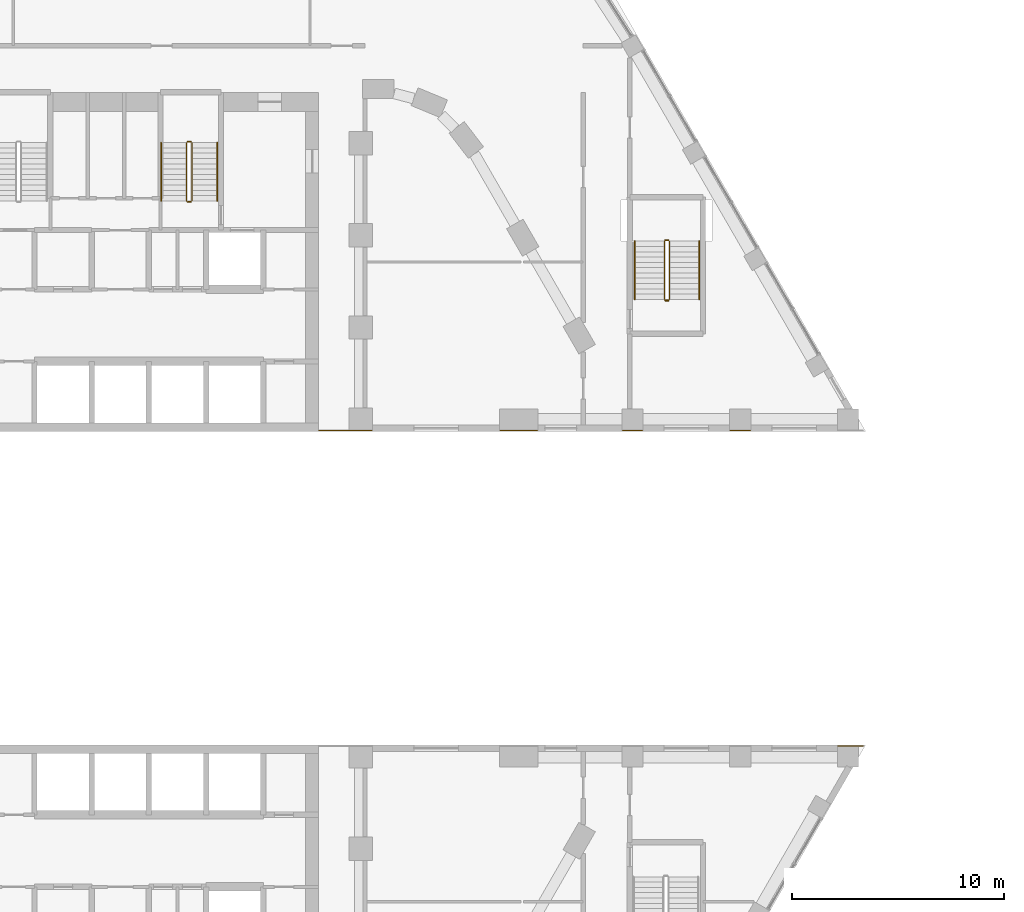
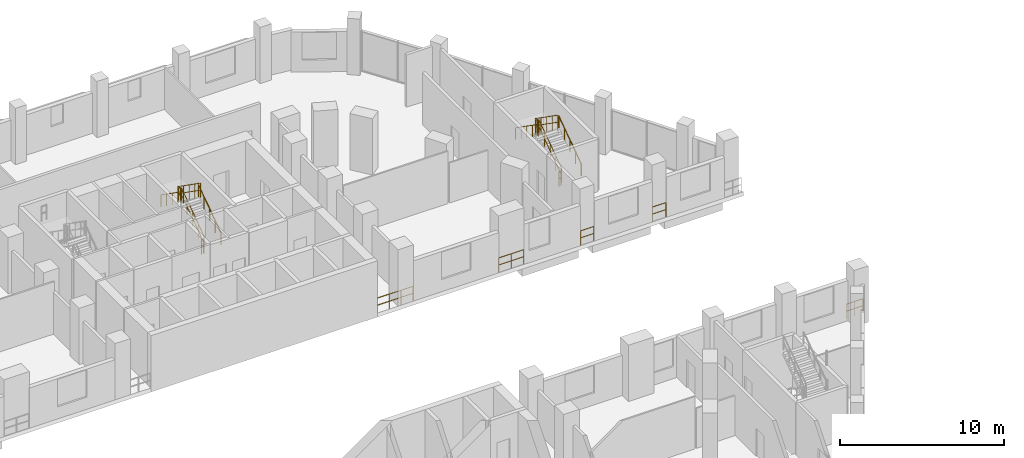
# One storey, part 42 of 47: 17 railings.
"""IFC4 building model written with IfcOpenShell, lengths in metres."""

from ifc_helpers import new_model, si_unit, direction, frame, origin, origin_2d, place, context, subcontext, project, spatial, circle, extrude, material, type_object, element, save


model = new_model("IFC4")

# Units and contexts
model_context = context("Model", 3, precision=1e-05, world=origin(), true_north=direction((0.0, 1.0)))
body_context = subcontext(model_context, "Body", "Model", "MODEL_VIEW")
ifc_project = project(units=[si_unit("LENGTHUNIT", "METRE"), si_unit("AREAUNIT", "SQUARE_METRE"), si_unit("VOLUMEUNIT", "CUBIC_METRE"), si_unit("PLANEANGLEUNIT", "RADIAN"), si_unit("MASSUNIT", "GRAM", prefix="KILO")], contexts=[model_context])

# Site, building, storey
site_placement = place(None, origin())
site = spatial("IfcSite", under=ifc_project, at=site_placement, CompositionType="ELEMENT")
building_placement = place(site_placement, origin())
building = spatial("IfcBuilding", under=site, at=building_placement, Name="Nakaniwa Court", CompositionType="ELEMENT")
storey_placement = place(building_placement, frame((0.0, 0.0, 15.60009765625)))
storey = spatial("IfcBuildingStorey", under=building, at=storey_placement, Name="L03", CompositionType="ELEMENT", Elevation=15.60009765625)

# Railings
ifc_material_1 = material(Name="Black powder coated steel guard", Category="steel")
railing_type_1 = type_object("IfcRailingType", Name="Stair guard 1100", PredefinedType="GUARDRAIL", material=ifc_material_1)
railing_1_placement = place(storey_placement, frame((82.02490234375, 98.27490234375, 0.1748046875)))
element("IfcRailing", 1, at=railing_1_placement, inside=storey, type_object=railing_type_1, Name="L03 ST2 stair guard 1", PredefinedType="GUARDRAIL", context=body_context, shape_type="SweptSolid", body=[
    extrude(circle(Radius=0.02392578125, at=origin_2d()), frame((0.0, 0.0, 1.076171875), z_axis=(0.0, 0.819225086817, 0.573472106672), x_axis=(-1.0, 0.0, 0.0)), (0.0, 0.0, 1.0), 3.35693359375),
    extrude(circle(Radius=0.02392578125, at=origin_2d()), frame((0.0, 0.0, 0.550048828125), z_axis=(0.0, 0.819225086817, 0.573472106672), x_axis=(-1.0, 0.0, 0.0)), (0.0, 0.0, 1.0), 3.35693359375),
    extrude(circle(Radius=0.02099609375, at=origin_2d()), origin(), (0.0, 0.0, 1.0), 1.052001953125),
    extrude(circle(Radius=0.02099609375, at=origin_2d()), frame((0.0, 0.6875, 0.481201171875)), (0.0, 0.0, 1.0), 1.052001953125),
    extrude(circle(Radius=0.02099609375, at=origin_2d()), frame((0.0, 1.375, 0.96240234375)), (0.0, 0.0, 1.0), 1.052001953125),
    extrude(circle(Radius=0.02099609375, at=origin_2d()), frame((0.0, 2.0625, 1.44384765625)), (0.0, 0.0, 1.0), 1.052001953125),
    extrude(circle(Radius=0.02099609375, at=origin_2d()), frame((0.0, 2.75, 1.925048828125)), (0.0, 0.0, 1.0), 1.052001953125),
])
railing_2_placement = place(storey_placement, frame((81.97509765625, 101.074951171875, 2.099853515625)))
element("IfcRailing", 2, at=railing_2_placement, inside=storey, type_object=railing_type_1, Name="L03 ST2 stair guard 2", PredefinedType="GUARDRAIL", context=body_context, shape_type="SweptSolid", body=[
    extrude(circle(Radius=0.02392578125, at=origin_2d()), frame((0.0, 0.0, 1.076171875), z_axis=(-1.0, 0.0, 0.0), x_axis=(0.0, -1.0, 0.0)), (0.0, 0.0, 1.0), 0.150146484375),
    extrude(circle(Radius=0.02392578125, at=origin_2d()), frame((0.0, 0.0, 0.550048828125), z_axis=(-1.0, 0.0, 0.0), x_axis=(0.0, -1.0, 0.0)), (0.0, 0.0, 1.0), 0.150146484375),
    extrude(circle(Radius=0.02099609375, at=origin_2d()), origin(), (0.0, 0.0, 1.0), 1.052001953125),
    extrude(circle(Radius=0.02099609375, at=origin_2d()), frame((-0.150146484375, 0.0, 0.0)), (0.0, 0.0, 1.0), 1.052001953125),
])
railing_3_placement = place(storey_placement, frame((81.77490234375, 101.02490234375, 2.27490234375)))
element("IfcRailing", 3, at=railing_3_placement, inside=storey, type_object=railing_type_1, Name="L03 ST2 stair guard 3", PredefinedType="GUARDRAIL", context=body_context, shape_type="SweptSolid", body=[
    extrude(circle(Radius=0.02392578125, at=origin_2d()), frame((0.0, 0.0, 1.076171875), z_axis=(0.0, -0.819225086817, 0.573472106672), x_axis=(1.0, 0.0, 0.0)), (0.0, 0.0, 1.0), 3.35693359375),
    extrude(circle(Radius=0.02392578125, at=origin_2d()), frame((0.0, 0.0, 0.550048828125), z_axis=(0.0, -0.819225086817, 0.573472106672), x_axis=(1.0, 0.0, 0.0)), (0.0, 0.0, 1.0), 3.35693359375),
    extrude(circle(Radius=0.02099609375, at=origin_2d()), origin(), (0.0, 0.0, 1.0), 1.052001953125),
    extrude(circle(Radius=0.02099609375, at=origin_2d()), frame((0.0, -0.6875, 0.481201171875)), (0.0, 0.0, 1.0), 1.052001953125),
    extrude(circle(Radius=0.02099609375, at=origin_2d()), frame((0.0, -1.375, 0.96240234375)), (0.0, 0.0, 1.0), 1.052001953125),
    extrude(circle(Radius=0.02099609375, at=origin_2d()), frame((0.0, -2.0625, 1.44384765625)), (0.0, 0.0, 1.0), 1.052001953125),
    extrude(circle(Radius=0.02099609375, at=origin_2d()), frame((0.0, -2.75, 1.925048828125)), (0.0, 0.0, 1.0), 1.052001953125),
])
railing_4_placement = place(storey_placement, frame((81.97509765625, 98.22509765625, 0.0)))
element("IfcRailing", 4, at=railing_4_placement, inside=storey, type_object=railing_type_1, Name="L03 ST2 stair guard 4", PredefinedType="GUARDRAIL", context=body_context, shape_type="SweptSolid", body=[
    extrude(circle(Radius=0.02392578125, at=origin_2d()), frame((0.0, 0.0, 1.076171875), z_axis=(-1.0, 0.0, 0.0), x_axis=(0.0, -1.0, 0.0)), (0.0, 0.0, 1.0), 0.150146484375),
    extrude(circle(Radius=0.02392578125, at=origin_2d()), frame((0.0, 0.0, 0.550048828125), z_axis=(-1.0, 0.0, 0.0), x_axis=(0.0, -1.0, 0.0)), (0.0, 0.0, 1.0), 0.150146484375),
    extrude(circle(Radius=0.02099609375, at=origin_2d()), origin(), (0.0, 0.0, 1.0), 1.052001953125),
    extrude(circle(Radius=0.02099609375, at=origin_2d()), frame((-0.150146484375, 0.0, 0.0)), (0.0, 0.0, 1.0), 1.052001953125),
])
railing_5_placement = place(storey_placement, frame((104.574951171875, 93.625, 0.1748046875)))
element("IfcRailing", 5, at=railing_5_placement, inside=storey, type_object=railing_type_1, Name="L03 SS1 stair guard 1", PredefinedType="GUARDRAIL", context=body_context, shape_type="SweptSolid", body=[
    extrude(circle(Radius=0.02392578125, at=origin_2d()), frame((0.0, 0.0, 1.076171875), z_axis=(0.0, 0.819225086817, 0.573472106672), x_axis=(-1.0, 0.0, 0.0)), (0.0, 0.0, 1.0), 3.35693359375),
    extrude(circle(Radius=0.02392578125, at=origin_2d()), frame((0.0, 0.0, 0.550048828125), z_axis=(0.0, 0.819225086817, 0.573472106672), x_axis=(-1.0, 0.0, 0.0)), (0.0, 0.0, 1.0), 3.35693359375),
    extrude(circle(Radius=0.02099609375, at=origin_2d()), origin(), (0.0, 0.0, 1.0), 1.052001953125),
    extrude(circle(Radius=0.02099609375, at=origin_2d()), frame((0.0, 0.6875, 0.481201171875)), (0.0, 0.0, 1.0), 1.052001953125),
    extrude(circle(Radius=0.02099609375, at=origin_2d()), frame((0.0, 1.375, 0.96240234375)), (0.0, 0.0, 1.0), 1.052001953125),
    extrude(circle(Radius=0.02099609375, at=origin_2d()), frame((0.0, 2.0625, 1.44384765625)), (0.0, 0.0, 1.0), 1.052001953125),
    extrude(circle(Radius=0.02099609375, at=origin_2d()), frame((0.0, 2.75, 1.925048828125)), (0.0, 0.0, 1.0), 1.052001953125),
])
railing_6_placement = place(storey_placement, frame((104.52490234375, 96.425048828125, 2.099853515625)))
element("IfcRailing", 6, at=railing_6_placement, inside=storey, type_object=railing_type_1, Name="L03 SS1 stair guard 2", PredefinedType="GUARDRAIL", context=body_context, shape_type="SweptSolid", body=[
    extrude(circle(Radius=0.02392578125, at=origin_2d()), frame((0.0, 0.0, 1.076171875), z_axis=(-1.0, 0.0, 0.0), x_axis=(0.0, -1.0, 0.0)), (0.0, 0.0, 1.0), 0.14990234375),
    extrude(circle(Radius=0.02392578125, at=origin_2d()), frame((0.0, 0.0, 0.550048828125), z_axis=(-1.0, 0.0, 0.0), x_axis=(0.0, -1.0, 0.0)), (0.0, 0.0, 1.0), 0.14990234375),
    extrude(circle(Radius=0.02099609375, at=origin_2d()), origin(), (0.0, 0.0, 1.0), 1.052001953125),
    extrude(circle(Radius=0.02099609375, at=origin_2d()), frame((-0.14990234375, 0.0, 0.0)), (0.0, 0.0, 1.0), 1.052001953125),
])
railing_7_placement = place(storey_placement, frame((104.324951171875, 96.375, 2.27490234375)))
element("IfcRailing", 7, at=railing_7_placement, inside=storey, type_object=railing_type_1, Name="L03 SS1 stair guard 3", PredefinedType="GUARDRAIL", context=body_context, shape_type="SweptSolid", body=[
    extrude(circle(Radius=0.02392578125, at=origin_2d()), frame((0.0, 0.0, 1.076171875), z_axis=(0.0, -0.819225086817, 0.573472106672), x_axis=(1.0, 0.0, 0.0)), (0.0, 0.0, 1.0), 3.35693359375),
    extrude(circle(Radius=0.02392578125, at=origin_2d()), frame((0.0, 0.0, 0.550048828125), z_axis=(0.0, -0.819225086817, 0.573472106672), x_axis=(1.0, 0.0, 0.0)), (0.0, 0.0, 1.0), 3.35693359375),
    extrude(circle(Radius=0.02099609375, at=origin_2d()), origin(), (0.0, 0.0, 1.0), 1.052001953125),
    extrude(circle(Radius=0.02099609375, at=origin_2d()), frame((0.0, -0.6875, 0.481201171875)), (0.0, 0.0, 1.0), 1.052001953125),
    extrude(circle(Radius=0.02099609375, at=origin_2d()), frame((0.0, -1.375, 0.96240234375)), (0.0, 0.0, 1.0), 1.052001953125),
    extrude(circle(Radius=0.02099609375, at=origin_2d()), frame((0.0, -2.0625, 1.44384765625)), (0.0, 0.0, 1.0), 1.052001953125),
    extrude(circle(Radius=0.02099609375, at=origin_2d()), frame((0.0, -2.75, 1.925048828125)), (0.0, 0.0, 1.0), 1.052001953125),
])
railing_8_placement = place(storey_placement, frame((104.52490234375, 93.574951171875, 0.0)))
element("IfcRailing", 8, at=railing_8_placement, inside=storey, type_object=railing_type_1, Name="L03 SS1 stair guard 4", PredefinedType="GUARDRAIL", context=body_context, shape_type="SweptSolid", body=[
    extrude(circle(Radius=0.02392578125, at=origin_2d()), frame((0.0, 0.0, 1.076171875), z_axis=(-1.0, 0.0, 0.0), x_axis=(0.0, -1.0, 0.0)), (0.0, 0.0, 1.0), 0.14990234375),
    extrude(circle(Radius=0.02392578125, at=origin_2d()), frame((0.0, 0.0, 0.550048828125), z_axis=(-1.0, 0.0, 0.0), x_axis=(0.0, -1.0, 0.0)), (0.0, 0.0, 1.0), 0.14990234375),
    extrude(circle(Radius=0.02099609375, at=origin_2d()), origin(), (0.0, 0.0, 1.0), 1.052001953125),
    extrude(circle(Radius=0.02099609375, at=origin_2d()), frame((-0.14990234375, 0.0, 0.0)), (0.0, 0.0, 1.0), 1.052001953125),
])
railing_9_placement = place(storey_placement, frame((112.513916015625, 72.550048828125, 0.0)))
element("IfcRailing", 9, at=railing_9_placement, inside=storey, type_object=railing_type_1, Name="GUARD GD-L03-050", PredefinedType="GUARDRAIL", context=body_context, shape_type="SweptSolid", body=[
    extrude(circle(Radius=0.02392578125, at=origin_2d()), frame((0.0, 0.0, 1.076171875), z_axis=(1.0, 0.0, 0.0), x_axis=(0.0, 1.0, 0.0)), (0.0, 0.0, 1.0), 1.18896484375),
    extrude(circle(Radius=0.02392578125, at=origin_2d()), frame((0.0, 0.0, 0.550048828125), z_axis=(1.0, 0.0, 0.0), x_axis=(0.0, 1.0, 0.0)), (0.0, 0.0, 1.0), 1.18896484375),
    extrude(circle(Radius=0.02099609375, at=origin_2d()), origin(), (0.0, 0.0, 1.0), 1.052001953125),
    extrude(circle(Radius=0.02099609375, at=origin_2d()), frame((0.594482421875, 0.0, 0.0)), (0.0, 0.0, 1.0), 1.052001953125),
    extrude(circle(Radius=0.02099609375, at=origin_2d()), frame((1.18896484375, 0.0, 0.0)), (0.0, 0.0, 1.0), 1.052001953125),
])
railing_10_placement = place(storey_placement, frame((108.389892578125, 87.449951171875, 0.0)))
element("IfcRailing", 10, at=railing_10_placement, inside=storey, type_object=railing_type_1, Name="GUARD GD-L03-052", PredefinedType="GUARDRAIL", context=body_context, shape_type="SweptSolid", body=[
    extrude(circle(Radius=0.02392578125, at=origin_2d()), frame((0.0, 0.0, 1.076171875), z_axis=(-1.0, 0.0, 0.0), x_axis=(0.0, -1.0, 0.0)), (0.0, 0.0, 1.0), 0.95947265625),
    extrude(circle(Radius=0.02392578125, at=origin_2d()), frame((0.0, 0.0, 0.550048828125), z_axis=(-1.0, 0.0, 0.0), x_axis=(0.0, -1.0, 0.0)), (0.0, 0.0, 1.0), 0.95947265625),
    extrude(circle(Radius=0.02099609375, at=origin_2d()), origin(), (0.0, 0.0, 1.0), 1.052001953125),
    extrude(circle(Radius=0.02099609375, at=origin_2d()), frame((-0.95947265625, 0.0, 0.0)), (0.0, 0.0, 1.0), 1.052001953125),
])
railing_11_placement = place(storey_placement, frame((103.296142578125, 87.449951171875, 0.0)))
element("IfcRailing", 11, at=railing_11_placement, inside=storey, type_object=railing_type_1, Name="GUARD GD-L03-053", PredefinedType="GUARDRAIL", context=body_context, shape_type="SweptSolid", body=[
    extrude(circle(Radius=0.02392578125, at=origin_2d()), frame((0.0, 0.0, 1.076171875), z_axis=(-1.0, 0.0, 0.0), x_axis=(0.0, -1.0, 0.0)), (0.0, 0.0, 1.0), 0.939453125),
    extrude(circle(Radius=0.02392578125, at=origin_2d()), frame((0.0, 0.0, 0.550048828125), z_axis=(-1.0, 0.0, 0.0), x_axis=(0.0, -1.0, 0.0)), (0.0, 0.0, 1.0), 0.939453125),
    extrude(circle(Radius=0.02099609375, at=origin_2d()), origin(), (0.0, 0.0, 1.0), 1.052001953125),
    extrude(circle(Radius=0.02099609375, at=origin_2d()), frame((-0.939453125, 0.0, 0.0)), (0.0, 0.0, 1.0), 1.052001953125),
])
railing_12_placement = place(storey_placement, frame((98.34228515625, 87.449951171875, 0.0)))
element("IfcRailing", 12, at=railing_12_placement, inside=storey, type_object=railing_type_1, Name="GUARD GD-L03-054", PredefinedType="GUARDRAIL", context=body_context, shape_type="SweptSolid", body=[
    extrude(circle(Radius=0.02392578125, at=origin_2d()), frame((0.0, 0.0, 1.076171875), z_axis=(-1.0, 0.0, 0.0), x_axis=(0.0, -1.0, 0.0)), (0.0, 0.0, 1.0), 1.768310546875),
    extrude(circle(Radius=0.02392578125, at=origin_2d()), frame((0.0, 0.0, 0.550048828125), z_axis=(-1.0, 0.0, 0.0), x_axis=(0.0, -1.0, 0.0)), (0.0, 0.0, 1.0), 1.768310546875),
    extrude(circle(Radius=0.02099609375, at=origin_2d()), origin(), (0.0, 0.0, 1.0), 1.052001953125),
    extrude(circle(Radius=0.02099609375, at=origin_2d()), frame((-0.88427734375, 0.0, 0.0)), (0.0, 0.0, 1.0), 1.052001953125),
    extrude(circle(Radius=0.02099609375, at=origin_2d()), frame((-1.768310546875, 0.0, 0.0)), (0.0, 0.0, 1.0), 1.052001953125),
])
railing_13_placement = place(storey_placement, frame((90.52197265625, 87.449951171875, 0.0)))
element("IfcRailing", 13, at=railing_13_placement, inside=storey, type_object=railing_type_1, Name="GUARD GD-L03-055", PredefinedType="GUARDRAIL", context=body_context, shape_type="SweptSolid", body=[
    extrude(circle(Radius=0.02392578125, at=origin_2d()), frame((0.0, 0.0, 1.076171875), z_axis=(-1.0, 0.0, 0.0), x_axis=(0.0, -1.0, 0.0)), (0.0, 0.0, 1.0), 2.507080078125),
    extrude(circle(Radius=0.02392578125, at=origin_2d()), frame((0.0, 0.0, 0.550048828125), z_axis=(-1.0, 0.0, 0.0), x_axis=(0.0, -1.0, 0.0)), (0.0, 0.0, 1.0), 2.507080078125),
    extrude(circle(Radius=0.02099609375, at=origin_2d()), origin(), (0.0, 0.0, 1.0), 1.052001953125),
    extrude(circle(Radius=0.02099609375, at=origin_2d()), frame((-0.835693359375, 0.0, 0.0)), (0.0, 0.0, 1.0), 1.052001953125),
    extrude(circle(Radius=0.02099609375, at=origin_2d()), frame((-1.67138671875, 0.0, 0.0)), (0.0, 0.0, 1.0), 1.052001953125),
    extrude(circle(Radius=0.02099609375, at=origin_2d()), frame((-2.507080078125, 0.0, 0.0)), (0.0, 0.0, 1.0), 1.052001953125),
])
ifc_material_2 = material(Name="Black powder coated steel handrail", Category="steel")
railing_type_2 = type_object("IfcRailingType", Name="Stair handrail 900", PredefinedType="HANDRAIL", material=ifc_material_2)
railing_14_placement = place(storey_placement, frame((83.22509765625, 98.27490234375, 0.1748046875)))
element("IfcRailing", 14, at=railing_14_placement, inside=storey, type_object=railing_type_2, Name="L03 ST2 stair handrail 1", PredefinedType="HANDRAIL", context=body_context, shape_type="SweptSolid", body=[
    extrude(circle(Radius=0.02392578125, at=origin_2d()), frame((0.0, 0.0, 0.8759765625), z_axis=(0.0, 0.819225086817, 0.573472106672), x_axis=(-1.0, 0.0, 0.0)), (0.0, 0.0, 1.0), 3.35693359375),
    extrude(circle(Radius=0.02099609375, at=origin_2d()), origin(), (0.0, 0.0, 1.0), 0.851806640625),
    extrude(circle(Radius=0.02099609375, at=origin_2d()), frame((0.0, 0.6875, 0.481201171875)), (0.0, 0.0, 1.0), 0.851806640625),
    extrude(circle(Radius=0.02099609375, at=origin_2d()), frame((0.0, 1.375, 0.96240234375)), (0.0, 0.0, 1.0), 0.851806640625),
    extrude(circle(Radius=0.02099609375, at=origin_2d()), frame((0.0, 2.0625, 1.44384765625)), (0.0, 0.0, 1.0), 0.851806640625),
    extrude(circle(Radius=0.02099609375, at=origin_2d()), frame((0.0, 2.75, 1.925048828125)), (0.0, 0.0, 1.0), 0.851806640625),
])
railing_15_placement = place(storey_placement, frame((80.574951171875, 101.02490234375, 2.27490234375)))
element("IfcRailing", 15, at=railing_15_placement, inside=storey, type_object=railing_type_2, Name="L03 ST2 stair handrail 2", PredefinedType="HANDRAIL", context=body_context, shape_type="SweptSolid", body=[
    extrude(circle(Radius=0.02392578125, at=origin_2d()), frame((0.0, 0.0, 0.8759765625), z_axis=(0.0, -0.819225086817, 0.573472106672), x_axis=(1.0, 0.0, 0.0)), (0.0, 0.0, 1.0), 3.35693359375),
    extrude(circle(Radius=0.02099609375, at=origin_2d()), origin(), (0.0, 0.0, 1.0), 0.851806640625),
    extrude(circle(Radius=0.02099609375, at=origin_2d()), frame((0.0, -0.6875, 0.481201171875)), (0.0, 0.0, 1.0), 0.851806640625),
    extrude(circle(Radius=0.02099609375, at=origin_2d()), frame((0.0, -1.375, 0.96240234375)), (0.0, 0.0, 1.0), 0.851806640625),
    extrude(circle(Radius=0.02099609375, at=origin_2d()), frame((0.0, -2.0625, 1.44384765625)), (0.0, 0.0, 1.0), 0.851806640625),
    extrude(circle(Radius=0.02099609375, at=origin_2d()), frame((0.0, -2.75, 1.925048828125)), (0.0, 0.0, 1.0), 0.851806640625),
])
railing_16_placement = place(storey_placement, frame((105.97509765625, 93.625, 0.1748046875)))
element("IfcRailing", 16, at=railing_16_placement, inside=storey, type_object=railing_type_2, Name="L03 SS1 stair handrail 1", PredefinedType="HANDRAIL", context=body_context, shape_type="SweptSolid", body=[
    extrude(circle(Radius=0.02392578125, at=origin_2d()), frame((0.0, 0.0, 0.8759765625), z_axis=(0.0, 0.819225086817, 0.573472106672), x_axis=(-1.0, 0.0, 0.0)), (0.0, 0.0, 1.0), 3.35693359375),
    extrude(circle(Radius=0.02099609375, at=origin_2d()), origin(), (0.0, 0.0, 1.0), 0.851806640625),
    extrude(circle(Radius=0.02099609375, at=origin_2d()), frame((0.0, 0.6875, 0.481201171875)), (0.0, 0.0, 1.0), 0.851806640625),
    extrude(circle(Radius=0.02099609375, at=origin_2d()), frame((0.0, 1.375, 0.96240234375)), (0.0, 0.0, 1.0), 0.851806640625),
    extrude(circle(Radius=0.02099609375, at=origin_2d()), frame((0.0, 2.0625, 1.44384765625)), (0.0, 0.0, 1.0), 0.851806640625),
    extrude(circle(Radius=0.02099609375, at=origin_2d()), frame((0.0, 2.75, 1.925048828125)), (0.0, 0.0, 1.0), 0.851806640625),
])
railing_17_placement = place(storey_placement, frame((102.925048828125, 96.375, 2.27490234375)))
element("IfcRailing", 17, at=railing_17_placement, inside=storey, type_object=railing_type_2, Name="L03 SS1 stair handrail 2", PredefinedType="HANDRAIL", context=body_context, shape_type="SweptSolid", body=[
    extrude(circle(Radius=0.02392578125, at=origin_2d()), frame((0.0, 0.0, 0.8759765625), z_axis=(0.0, -0.819225086817, 0.573472106672), x_axis=(1.0, 0.0, 0.0)), (0.0, 0.0, 1.0), 3.35693359375),
    extrude(circle(Radius=0.02099609375, at=origin_2d()), origin(), (0.0, 0.0, 1.0), 0.851806640625),
    extrude(circle(Radius=0.02099609375, at=origin_2d()), frame((0.0, -0.6875, 0.481201171875)), (0.0, 0.0, 1.0), 0.851806640625),
    extrude(circle(Radius=0.02099609375, at=origin_2d()), frame((0.0, -1.375, 0.96240234375)), (0.0, 0.0, 1.0), 0.851806640625),
    extrude(circle(Radius=0.02099609375, at=origin_2d()), frame((0.0, -2.0625, 1.44384765625)), (0.0, 0.0, 1.0), 0.851806640625),
    extrude(circle(Radius=0.02099609375, at=origin_2d()), frame((0.0, -2.75, 1.925048828125)), (0.0, 0.0, 1.0), 0.851806640625),
])

save(model, "model.ifc")
